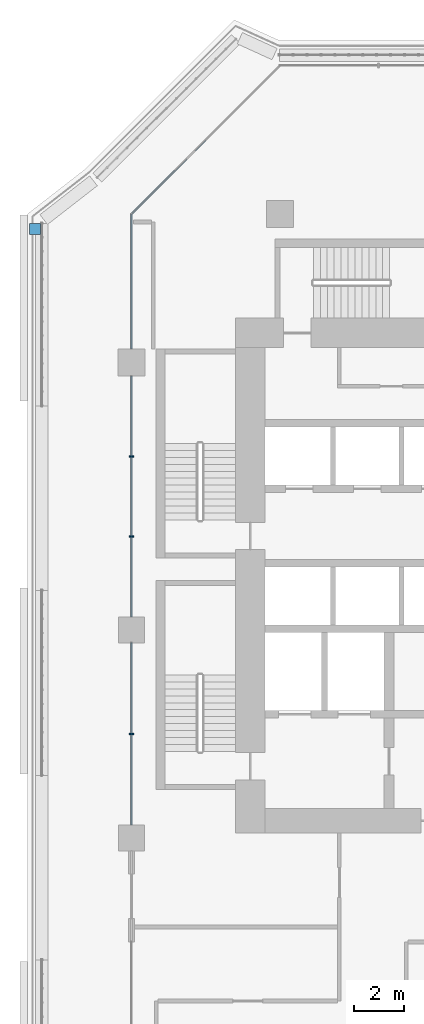
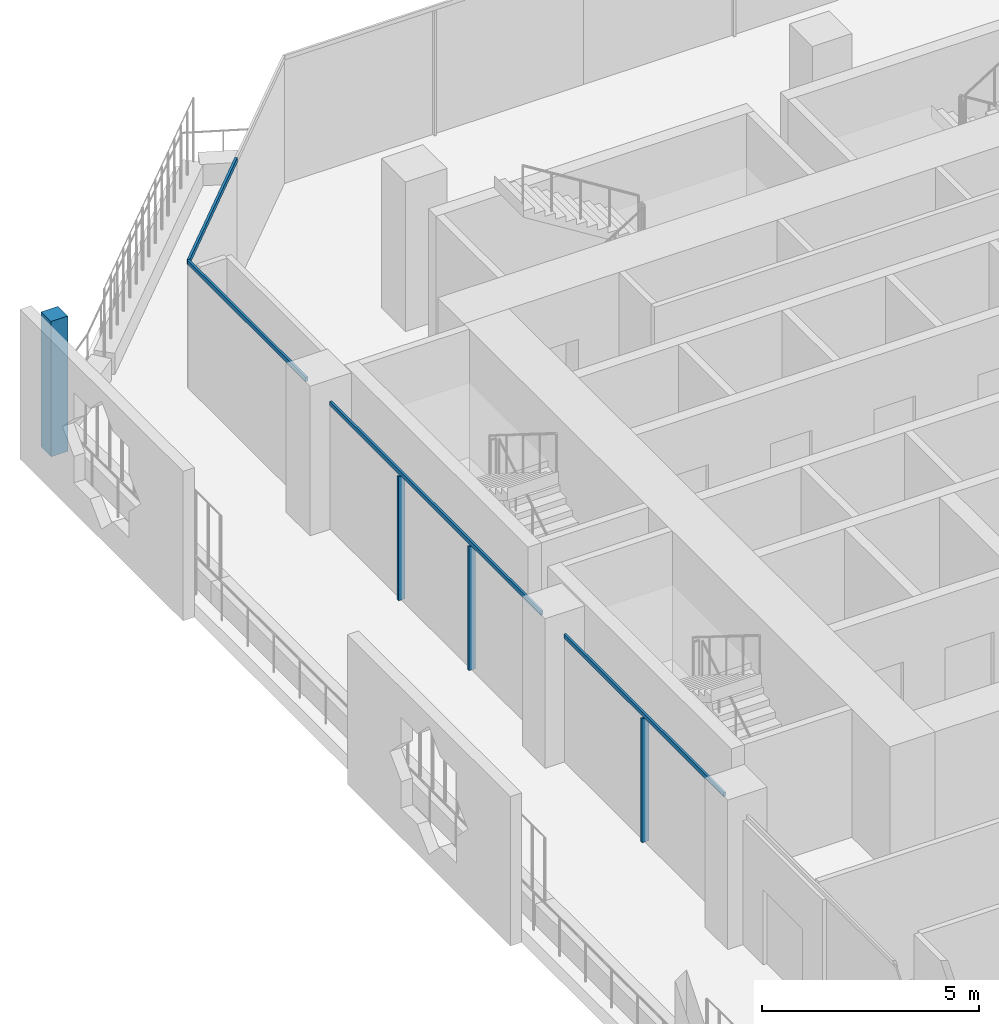
# One storey, part 5 of 25: 8 members, 3 elements without a shape of their own.
"""IFC4 building model written with IfcOpenShell, lengths in metres."""

from ifc_helpers import new_model, si_unit, direction, frame, origin, origin_2d, place, context, subcontext, project, spatial, rectangle, extrude, material, layer, layer_set, material_profile, profile_set, type_object, element, aggregate, save


model = new_model("IFC4")

# Units and contexts
model_context = context("Model", 3, precision=1e-05, world=origin(), true_north=direction((0.0, 1.0)))
body_context = subcontext(model_context, "Body", "Model", "MODEL_VIEW")
ifc_project = project(units=[si_unit("LENGTHUNIT", "METRE"), si_unit("AREAUNIT", "SQUARE_METRE"), si_unit("VOLUMEUNIT", "CUBIC_METRE"), si_unit("PLANEANGLEUNIT", "RADIAN"), si_unit("MASSUNIT", "GRAM", prefix="KILO")], contexts=[model_context])

# Site, building, storey
site_placement = place(None, origin())
site = spatial("IfcSite", under=ifc_project, at=site_placement, CompositionType="ELEMENT")
building_placement = place(site_placement, origin())
building = spatial("IfcBuilding", under=site, at=building_placement, Name="Kawkab Arch Medical Tower", CompositionType="ELEMENT")
storey_placement = place(building_placement, frame((0.0, 0.0, 124.0)))
storey = spatial("IfcBuildingStorey", under=building, at=storey_placement, Name="L28", CompositionType="ELEMENT", Elevation=124.0)

# Curtain wall, members
ifc_material_1 = material(Name="Bronze anodised aluminium curtain wall frame", Category="aluminium")
ifc_layer_1 = layer(ifc_material_1, 0.159912109375)
ifc_layer_set_1 = layer_set([ifc_layer_1], Name="Bronze anodised aluminium curtain wall frame")
curtain_wall_type_1 = type_object("IfcCurtainWallType", Name="CW1 ward curtain wall", PredefinedType="NOTDEFINED", material=ifc_layer_set_1)
placement = place(storey_placement, origin())
curtain_wall_1 = element("IfcCurtainWall", 1, at=placement, inside=storey, type_object=curtain_wall_type_1, Name="CW1 Ward curtain wall R01", PredefinedType="NOTDEFINED")
ifc_material_2 = material(Name="Bronze anodised aluminium curtain wall frame", Category="aluminium")
ifc_material_profile_1 = material_profile(ifc_material_2, rectangle(XDim=0.179931640625, YDim=0.06005859375, at=origin_2d()), Name="AL 60x180")
ifc_profile_set_1 = profile_set([ifc_material_profile_1], Name="Bronze anodised aluminium curtain wall frame")
member_type_1 = type_object("IfcMemberType", Name="CW1 mullion 60 x 180", PredefinedType="MULLION", material=ifc_profile_set_1)
member_1_placement = place(storey_placement, frame((0.0, -9.791748046875, 0.0), z_axis=(0.0, 0.0, 1.0), x_axis=(1.0, 0.0, 0.0)))
member_1 = element("IfcMember", 2, at=member_1_placement, type_object=member_type_1, Name="CW1 mullion 2.1", PredefinedType="MULLION", context=body_context, shape_type="SweptSolid", body=[
    extrude(rectangle(XDim=0.179931640625, YDim=0.06005859375, at=origin_2d()), origin(), (0.0, 0.0, 1.0), 3.47998046875),
])
member_2_placement = place(storey_placement, frame((0.0, -13.033447265625, 0.0), z_axis=(0.0, 0.0, 1.0), x_axis=(1.0, 0.0, 0.0)))
member_2 = element("IfcMember", 3, at=member_2_placement, type_object=member_type_1, Name="CW1 mullion 2.2", PredefinedType="MULLION", context=body_context, shape_type="SweptSolid", body=[
    extrude(rectangle(XDim=0.179931640625, YDim=0.06005859375, at=origin_2d()), origin(), (0.0, 0.0, 1.0), 3.47998046875),
])
member_3_placement = place(storey_placement, frame((0.0, -21.0, 0.0), z_axis=(0.0, 0.0, 1.0), x_axis=(1.0, 0.0, 0.0)))
member_3 = element("IfcMember", 4, at=member_3_placement, type_object=member_type_1, Name="CW1 mullion 3.1", PredefinedType="MULLION", context=body_context, shape_type="SweptSolid", body=[
    extrude(rectangle(XDim=0.179931640625, YDim=0.06005859375, at=origin_2d()), origin(), (0.0, 0.0, 1.0), 3.47998046875),
])
ifc_material_3 = material(Name="Bronze anodised aluminium curtain wall frame", Category="aluminium")
ifc_material_profile_2 = material_profile(ifc_material_3, rectangle(XDim=0.06005859375, YDim=0.1201171875, at=origin_2d()), Name="AL 60x120")
ifc_profile_set_2 = profile_set([ifc_material_profile_2], Name="Bronze anodised aluminium curtain wall frame")
member_type_2 = type_object("IfcMemberType", Name="CW1 transom 120 x 60", PredefinedType="USERDEFINED", material=ifc_profile_set_2)
member_4_placement = place(storey_placement, frame((0.0, 0.0, 3.5400390625), z_axis=(0.0, -1.0, 0.0), x_axis=(1.0, 0.0, 0.0)))
member_4 = element("IfcMember", 5, at=member_4_placement, type_object=member_type_2, Name="CW1 transom 1", ObjectType="TRANSOM", PredefinedType="USERDEFINED", context=body_context, shape_type="SweptSolid", body=[
    extrude(rectangle(XDim=0.06005859375, YDim=0.1201171875, at=origin_2d()), origin(), (0.0, 0.0, 1.0), 5.449951171875),
])
member_5_placement = place(storey_placement, frame((0.0, -6.550048828125, 3.5400390625), z_axis=(0.0, -1.0, 0.0), x_axis=(1.0, 0.0, 0.0)))
member_5 = element("IfcMember", 6, at=member_5_placement, type_object=member_type_2, Name="CW1 transom 2", ObjectType="TRANSOM", PredefinedType="USERDEFINED", context=body_context, shape_type="SweptSolid", body=[
    extrude(rectangle(XDim=0.06005859375, YDim=0.1201171875, at=origin_2d()), origin(), (0.0, 0.0, 1.0), 9.724853515625),
])
member_6_placement = place(storey_placement, frame((0.0, -17.324951171875, 3.5400390625), z_axis=(0.0, -1.0, 0.0), x_axis=(1.0, 0.0, 0.0)))
member_6 = element("IfcMember", 7, at=member_6_placement, type_object=member_type_2, Name="CW1 transom 3", ObjectType="TRANSOM", PredefinedType="USERDEFINED", context=body_context, shape_type="SweptSolid", body=[
    extrude(rectangle(XDim=0.06005859375, YDim=0.1201171875, at=origin_2d()), origin(), (0.0, 0.0, 1.0), 7.35009765625),
])
aggregate(curtain_wall_1, [member_4, member_5, member_1, member_2, member_6, member_3])

# Curtain wall, member
ifc_material_4 = material(Name="Bronze anodised aluminium curtain wall frame", Category="aluminium")
ifc_layer_2 = layer(ifc_material_4, 0.159912109375)
ifc_layer_set_2 = layer_set([ifc_layer_2], Name="Bronze anodised aluminium curtain wall frame")
curtain_wall_type_2 = type_object("IfcCurtainWallType", Name="CW2 chamfer curtain wall", PredefinedType="NOTDEFINED", material=ifc_layer_set_2)
curtain_wall_2 = element("IfcCurtainWall", 8, at=placement, inside=storey, type_object=curtain_wall_type_2, Name="CW2 Chamfer curtain wall R12", PredefinedType="NOTDEFINED")
ifc_material_5 = material(Name="Bronze anodised aluminium curtain wall frame", Category="aluminium")
ifc_material_profile_3 = material_profile(ifc_material_5, rectangle(XDim=0.06005859375, YDim=0.139892578125, at=origin_2d()), Name="AL 60x140")
ifc_profile_set_3 = profile_set([ifc_material_profile_3], Name="Bronze anodised aluminium curtain wall frame")
member_type_3 = type_object("IfcMemberType", Name="CW2 transom 140 x 60", PredefinedType="USERDEFINED", material=ifc_profile_set_3)
member_7_placement = place(storey_placement, frame((3.0, 3.0, 3.530029296875), z_axis=(-0.707106781187, -0.707106781187, 0.0), x_axis=(0.707106781187, -0.707106781187, 0.0)))
member_7 = element("IfcMember", 9, at=member_7_placement, type_object=member_type_3, Name="CW2 transom 2", ObjectType="TRANSOM", PredefinedType="USERDEFINED", context=body_context, shape_type="SweptSolid", body=[
    extrude(rectangle(XDim=0.06005859375, YDim=0.139892578125, at=origin_2d()), origin(), (0.0, 0.0, 1.0), 4.24267578125),
])
aggregate(curtain_wall_2, [member_7])

ifc_material_6 = material(Name="Bronze anodised aluminium climber frame, planted", Category="aluminium")
ifc_layer_3 = layer(ifc_material_6, 0.449951171875)
ifc_layer_set_3 = layer_set([ifc_layer_3], Name="Bronze anodised aluminium climber frame, planted")
curtain_wall_type_3 = type_object("IfcCurtainWallType", Name="Planted climber frame", PredefinedType="NOTDEFINED", material=ifc_layer_set_3)
curtain_wall_3 = element("IfcCurtainWall", 10, at=placement, inside=storey, type_object=curtain_wall_type_3, Name="Planted climber frame L28", PredefinedType="NOTDEFINED")
ifc_material_7 = material(Name="Bronze anodised aluminium climber frame, planted", Category="aluminium")
ifc_material_profile_4 = material_profile(ifc_material_7, rectangle(XDim=0.449951171875, YDim=0.449951171875, at=origin_2d()), Name="Post 450x450")
ifc_profile_set_4 = profile_set([ifc_material_profile_4], Name="Bronze anodised aluminium climber frame, planted")
member_type_4 = type_object("IfcMemberType", Name="Planted climber post 450 x 450", PredefinedType="MULLION", material=ifc_profile_set_4)
member_8_placement = place(storey_placement, frame((-3.89990234375, -0.596923828125, 0.0), z_axis=(0.0, 0.0, 1.0), x_axis=(1.0, 0.0, 0.0)))
member_8 = element("IfcMember", 11, at=member_8_placement, type_object=member_type_4, Name="Planted climber post L28.LOG-01-01.2", PredefinedType="MULLION", context=body_context, shape_type="SweptSolid", body=[
    extrude(rectangle(XDim=0.449951171875, YDim=0.449951171875, at=origin_2d()), origin(), (0.0, 0.0, 1.0), 3.800048828125),
])
aggregate(curtain_wall_3, [member_8])

save(model, "model.ifc")
